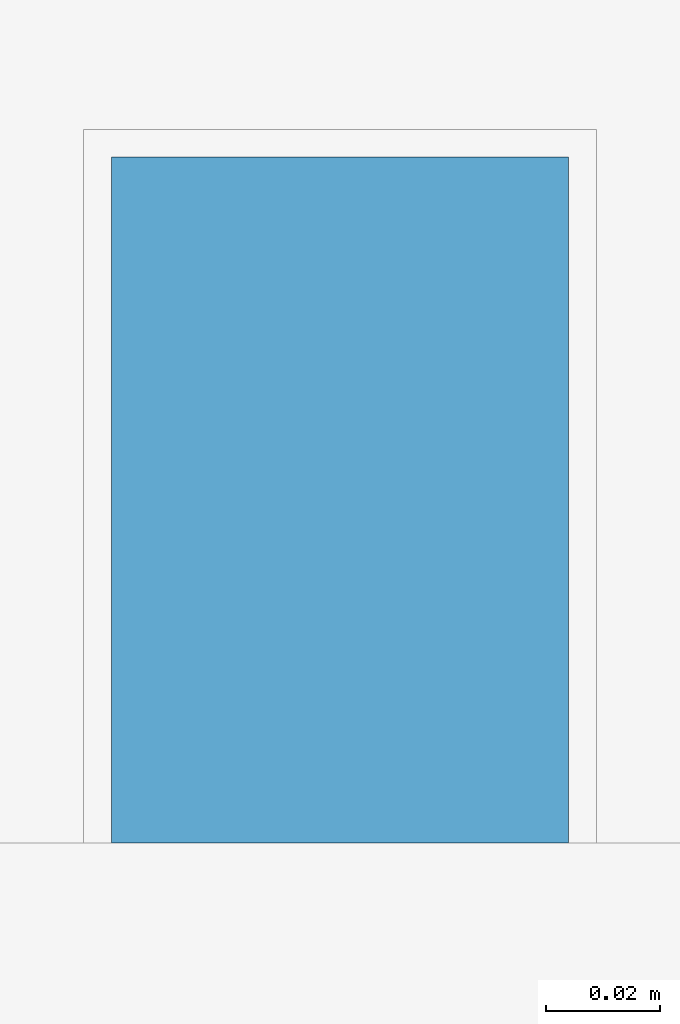
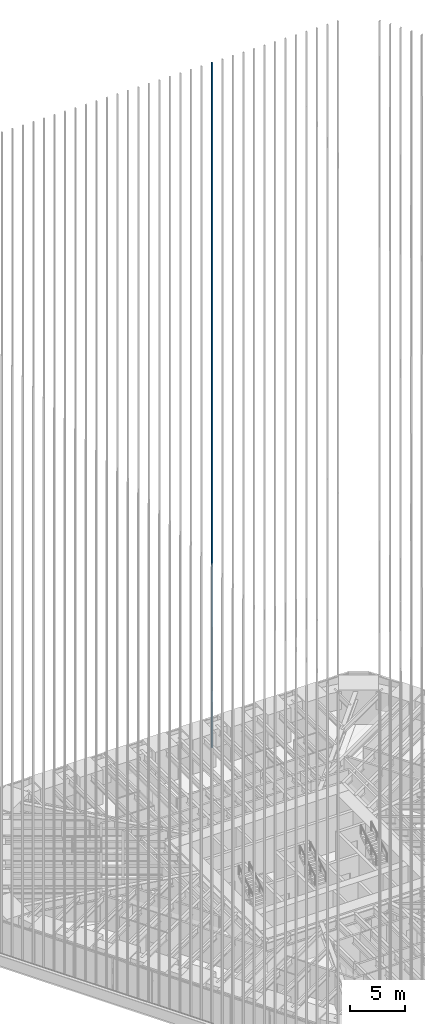
# One storey, part 202 of 238: 1 member, 1 element without a shape of its own.
"""IFC4 building model written with IfcOpenShell, lengths in metres."""

from ifc_helpers import new_model, si_unit, direction, frame, origin, origin_2d, place, context, subcontext, project, spatial, rectangle, extrude, material, material_profile, profile_set, type_object, element, aggregate, save


model = new_model("IFC4")

# Units and contexts
model_context = context("Model", 3, precision=1e-05, world=origin(), true_north=direction((0.0, 1.0)))
body_context = subcontext(model_context, "Body", "Model", "MODEL_VIEW")
ifc_project = project(units=[si_unit("LENGTHUNIT", "METRE"), si_unit("AREAUNIT", "SQUARE_METRE"), si_unit("VOLUMEUNIT", "CUBIC_METRE"), si_unit("PLANEANGLEUNIT", "RADIAN"), si_unit("MASSUNIT", "GRAM", prefix="KILO")], contexts=[model_context])

# Site, building, storey
site_placement = place(None, origin())
site = spatial("IfcSite", under=ifc_project, at=site_placement, CompositionType="ELEMENT")
building_placement = place(site_placement, origin())
building = spatial("IfcBuilding", under=site, at=building_placement, Name="Sandreach Pilgrim Tower", CompositionType="ELEMENT")
storey_placement = place(building_placement, frame((0.0, 0.0, 96.800048828125)))
storey = spatial("IfcBuildingStorey", under=building, at=storey_placement, Name="L23", CompositionType="ELEMENT", Elevation=96.800048828125)

# Curtain wall, member
ifc_material_1 = material(Name="Aluminium framed curtain wall", Category="aluminium")
curtain_wall_type = type_object("IfcCurtainWallType", Name="Hotel tower curtain wall", PredefinedType="NOTDEFINED", material=ifc_material_1)
curtain_wall_placement = place(storey_placement, origin())
curtain_wall = element("IfcCurtainWall", 1, at=curtain_wall_placement, inside=storey, type_object=curtain_wall_type, Name="CW-2 L23 N", PredefinedType="NOTDEFINED")
ifc_material_2 = material(Name="Extruded terracotta on aluminium core", Category="masonry")
ifc_material_profile = material_profile(ifc_material_2, rectangle(XDim=0.080078125, YDim=0.1201171875, at=origin_2d()), Name="TBN 80X120")
ifc_profile_set = profile_set([ifc_material_profile], Name="Extruded terracotta on aluminium core")
member_type = type_object("IfcMemberType", Name="Terracotta baguette north", PredefinedType="USERDEFINED", material=ifc_profile_set)
member_placement = place(storey_placement, frame((4.3974609375, 22.853759765625, 0.0), z_axis=(0.0, 0.0, 1.0), x_axis=(1.0, 0.0, 0.0)))
member = element("IfcMember", 2, at=member_placement, type_object=member_type, Name="Baguette Z2 N21", ObjectType="BAGUETTE", PredefinedType="USERDEFINED", context=body_context, shape_type="SweptSolid", body=[
    extrude(rectangle(XDim=0.080078125, YDim=0.1201171875, at=origin_2d()), origin(), (0.0, 0.0, 1.0), 75.83984375),
])
aggregate(curtain_wall, [member])

save(model, "model.ifc")
